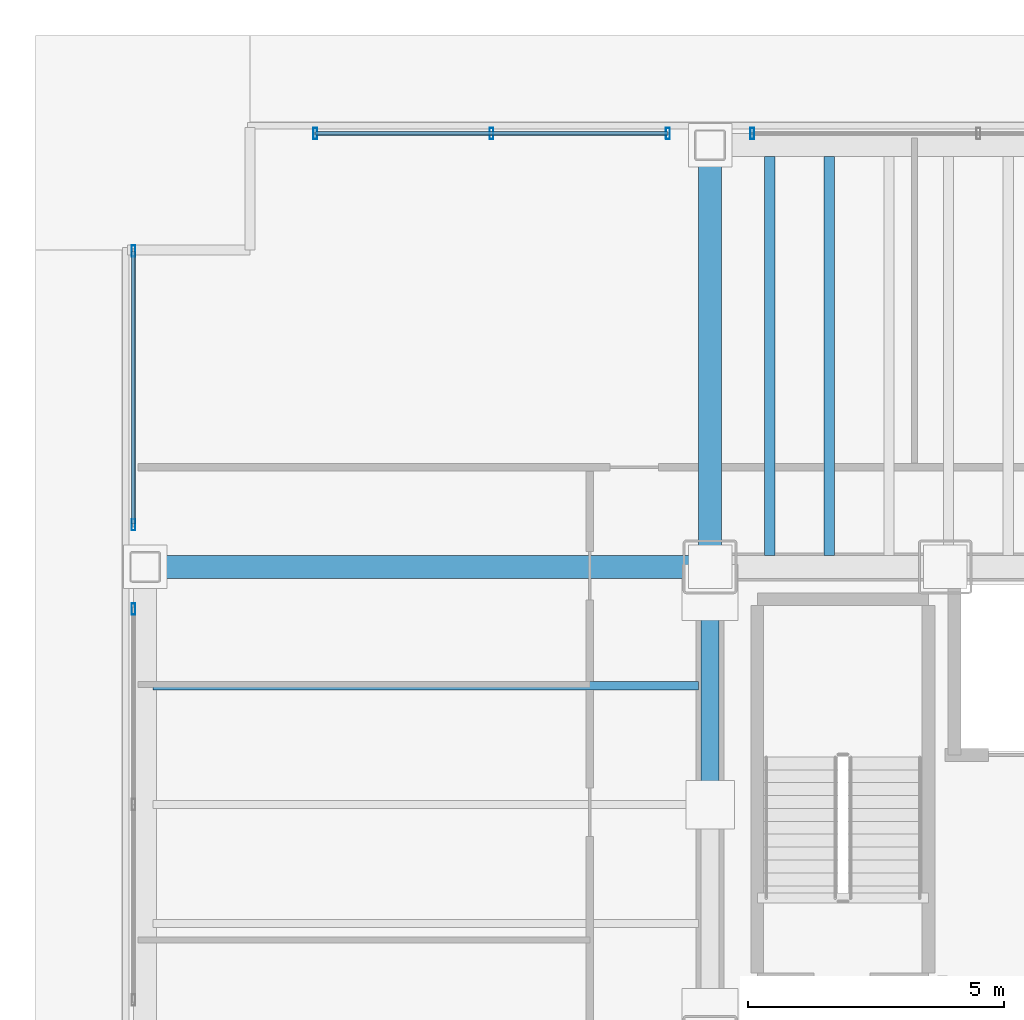
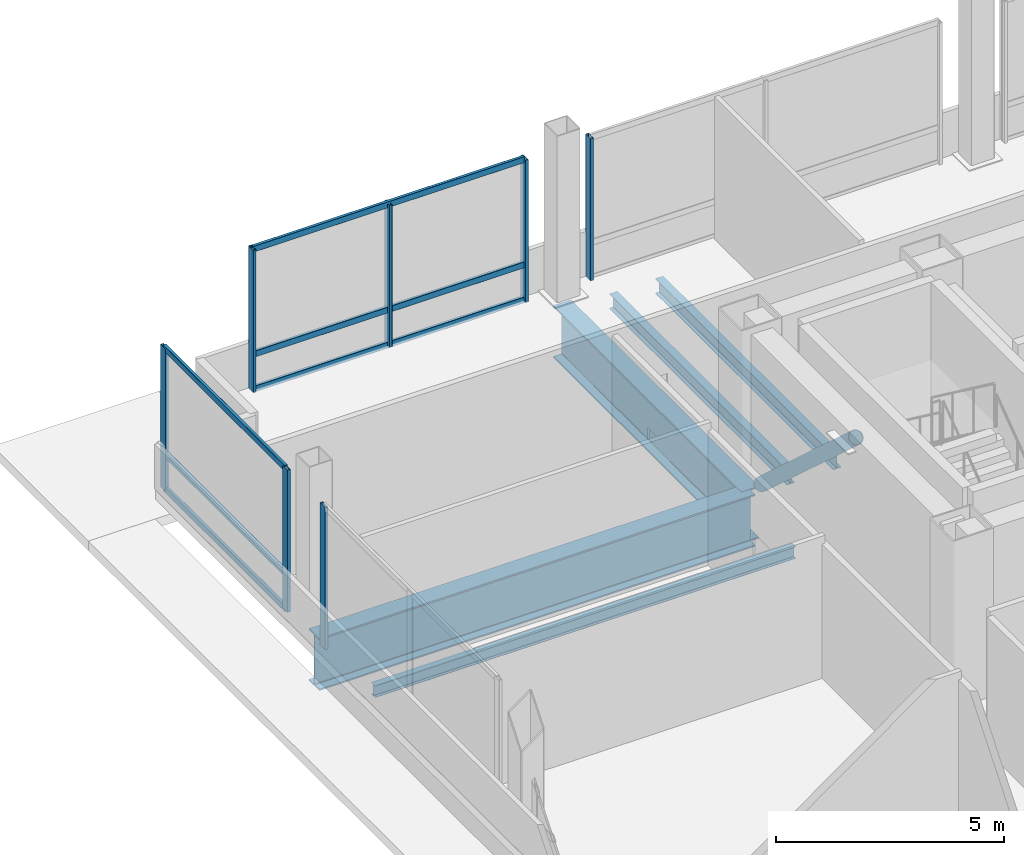
# One storey, part 17 of 34: 14 members, 5 beams, 4 elements without a shape of their own.
"""IFC4 building model written with IfcOpenShell, lengths in metres."""

from ifc_helpers import new_model, si_unit, direction, frame, origin, origin_2d, place, context, subcontext, project, spatial, hollow_rectangle, hollow_circle, i_section, extrude, material, material_profile, profile_set, type_object, element, aggregate, save


model = new_model("IFC4")

# Units and contexts
model_context = context("Model", 3, precision=1e-05, world=origin(), true_north=direction((0.0, 1.0)))
body_context = subcontext(model_context, "Body", "Model", "MODEL_VIEW")
ifc_project = project(units=[si_unit("LENGTHUNIT", "METRE"), si_unit("AREAUNIT", "SQUARE_METRE"), si_unit("VOLUMEUNIT", "CUBIC_METRE"), si_unit("PLANEANGLEUNIT", "RADIAN"), si_unit("MASSUNIT", "GRAM", prefix="KILO")], contexts=[model_context])

# Site, building, storey
site_placement = place(None, origin())
site = spatial("IfcSite", under=ifc_project, at=site_placement, CompositionType="ELEMENT")
building_placement = place(site_placement, origin())
building = spatial("IfcBuilding", under=site, at=building_placement, Name="Noeulbin Bourse Tower", CompositionType="ELEMENT")
storey_placement = place(building_placement, frame((0.0, 0.0, 22.0)))
storey = spatial("IfcBuildingStorey", under=building, at=storey_placement, Name="L05", CompositionType="ELEMENT", Elevation=22.0)

# Beams
ifc_material_1 = material(Name="Steel S355", Category="steel")
ifc_material_profile_1 = material_profile(ifc_material_1, i_section(OverallWidth=0.159912109375, OverallDepth=0.320068359375, WebThickness=0.006591796875, FlangeThickness=0.010009765625, FilletRadius=0.012939453125, at=origin_2d()), Name="H-320x160x6.5x10", Category="LoadBearing")
ifc_profile_set_1 = profile_set([ifc_material_profile_1], Name="Steel S355")
beam_type_1 = type_object("IfcBeamType", Name="BM-JST-320", PredefinedType="JOIST", material=ifc_profile_set_1)
beam_1_placement = place(storey_placement, frame((2.60009765625, 35.97509765625, -0.39990234375), z_axis=(1.0, 0.0, 0.0), x_axis=(0.0, 1.0, 0.0)))
element("IfcBeam", 1, at=beam_1_placement, inside=storey, type_object=beam_type_1, Name="Wing Composite Joist L05-W75", PredefinedType="JOIST", context=body_context, shape_type="SweptSolid", body=[
    extrude(i_section(OverallWidth=0.159912109375, OverallDepth=0.320068359375, WebThickness=0.006591796875, FlangeThickness=0.010009765625, FilletRadius=0.012939453125, at=origin_2d()), origin(), (0.0, 0.0, 1.0), 10.6748046875),
])
ifc_material_profile_2 = material_profile(ifc_material_1, i_section(OverallWidth=0.199951171875, OverallDepth=0.39990234375, WebThickness=0.008056640625, FlangeThickness=0.012939453125, FilletRadius=0.01611328125, at=origin_2d()), Name="H-400x200x8x13", Category="LoadBearing")
ifc_profile_set_2 = profile_set([ifc_material_profile_2], Name="Steel S355")
beam_type_2 = type_object("IfcBeamType", Name="BM-SEC-400", PredefinedType="BEAM", material=ifc_profile_set_2)
for number, where, z_axis, x_axis, name in (
    (2, (14.666748046875, 38.52490234375, -0.43994140625), (0.0, 1.0, 0.0), (-1.0, 0.0, 0.0), "Tower Composite Joist L05-03"),
    (3, (15.833251953125, 38.52490234375, -0.43994140625), (0.0, 1.0, 0.0), (-1.0, 0.0, 0.0), "Tower Composite Joist L05-06"),
):
    element("IfcBeam", number, at=place(storey_placement, frame(where, z_axis=z_axis, x_axis=x_axis)), inside=storey, type_object=beam_type_2, Name=name, PredefinedType="BEAM", context=body_context, shape_type="SweptSolid", body=[
        extrude(i_section(OverallWidth=0.199951171875, OverallDepth=0.39990234375, WebThickness=0.008056640625, FlangeThickness=0.012939453125, FilletRadius=0.01611328125, at=origin_2d()), origin(), (0.0, 0.0, 1.0), 7.800048828125),
    ])
ifc_material_2 = material(Name="Steel S460", Category="steel")
ifc_material_profile_3 = material_profile(ifc_material_2, i_section(OverallWidth=0.449951171875, OverallDepth=1.39990234375, WebThickness=0.02392578125, FlangeThickness=0.0400390625, FilletRadius=0.02392578125, at=origin_2d()), Name="PG-1400x450x24x40", Category="LoadBearing")
ifc_profile_set_3 = profile_set([ifc_material_profile_3], Name="Steel S460")
beam_type_3 = type_object("IfcBeamType", Name="BM-TRF-1400", PredefinedType="USERDEFINED", material=ifc_profile_set_3)
beam_2_placement = place(storey_placement, frame((2.449951171875, 38.300048828125, -0.93994140625), z_axis=(1.0, 0.0, 0.0), x_axis=(0.0, 1.0, 0.0)))
element("IfcBeam", 4, at=beam_2_placement, inside=storey, type_object=beam_type_3, Name="Tower Primary Girder EW L05-3.1", ObjectType="GIRDER", PredefinedType="USERDEFINED", context=body_context, shape_type="SweptSolid", body=[
    extrude(i_section(OverallWidth=0.449951171875, OverallDepth=1.39990234375, WebThickness=0.02392578125, FlangeThickness=0.0400390625, FilletRadius=0.02392578125, at=origin_2d()), origin(), (0.0, 0.0, 1.0), 11.050048828125),
])
beam_3_placement = place(storey_placement, frame((13.5, 38.300048828125, -0.93994140625), z_axis=(0.0, 1.0, 0.0), x_axis=(-1.0, 0.0, 0.0)))
element("IfcBeam", 5, at=beam_3_placement, inside=storey, type_object=beam_type_3, Name="Tower Primary Girder NS L05-1.4", ObjectType="GIRDER", PredefinedType="USERDEFINED", context=body_context, shape_type="SweptSolid", body=[
    extrude(i_section(OverallWidth=0.449951171875, OverallDepth=1.39990234375, WebThickness=0.02392578125, FlangeThickness=0.0400390625, FilletRadius=0.02392578125, at=origin_2d()), origin(), (0.0, 0.0, 1.0), 8.25),
])

# Curtain wall, members
ifc_material_3 = material(Name="Dark Solar-Control Double Glazing", Category="glass")
curtain_wall_type = type_object("IfcCurtainWallType", Name="CW-SYS-2", PredefinedType="NOTDEFINED", material=ifc_material_3)
curtain_wall_1_placement = place(storey_placement, origin())
curtain_wall_1 = element("IfcCurtainWall", 6, at=curtain_wall_1_placement, inside=storey, type_object=curtain_wall_type, Name="Unitised Curtain Wall CW-L05-N-S1", PredefinedType="NOTDEFINED")
ifc_material_4 = material(Name="Anodised Aluminium 6063-T6", Category="aluminium")
ifc_material_profile_4 = material_profile(ifc_material_4, hollow_rectangle(XDim=0.074951171875, YDim=0.219970703125, WallThickness=0.0048828125, InnerFilletRadius=0.00244140625, OuterFilletRadius=0.0048828125, at=origin_2d()), Name="ALU-MULL-75x220x5", Category="LoadBearing")
ifc_profile_set_4 = profile_set([ifc_material_profile_4], Name="Anodised Aluminium 6063-T6")
member_type_1 = type_object("IfcMemberType", Name="CW-SYS-2-MUL", PredefinedType="MULLION", material=ifc_profile_set_4)
member_1_placement = place(storey_placement, frame((5.77490234375, 46.780029296875, -0.02001953125), z_axis=(0.0, 0.0, 1.0), x_axis=(1.0, 0.0, 0.0)))
member_1 = element("IfcMember", 7, at=member_1_placement, type_object=member_type_1, Name="Curtain Wall Mullion CW-L05-N-S1-M00", PredefinedType="MULLION", context=body_context, shape_type="SweptSolid", body=[
    extrude(hollow_rectangle(XDim=0.074951171875, YDim=0.219970703125, WallThickness=0.0048828125, InnerFilletRadius=0.00244140625, OuterFilletRadius=0.0048828125, at=origin_2d()), origin(), (0.0, 0.0, 1.0), 3.820068359375),
])
member_2_placement = place(storey_placement, frame((9.22509765625, 46.780029296875, -0.02001953125), z_axis=(0.0, 0.0, 1.0), x_axis=(1.0, 0.0, 0.0)))
member_2 = element("IfcMember", 8, at=member_2_placement, type_object=member_type_1, Name="Curtain Wall Mullion CW-L05-N-S1-M01", PredefinedType="MULLION", context=body_context, shape_type="SweptSolid", body=[
    extrude(hollow_rectangle(XDim=0.074951171875, YDim=0.219970703125, WallThickness=0.0048828125, InnerFilletRadius=0.00244140625, OuterFilletRadius=0.0048828125, at=origin_2d()), origin(), (0.0, 0.0, 1.0), 3.820068359375),
])
member_3_placement = place(storey_placement, frame((12.675048828125, 46.780029296875, -0.02001953125), z_axis=(0.0, 0.0, 1.0), x_axis=(1.0, 0.0, 0.0)))
member_3 = element("IfcMember", 9, at=member_3_placement, type_object=member_type_1, Name="Curtain Wall Mullion CW-L05-N-S1-M02", PredefinedType="MULLION", context=body_context, shape_type="SweptSolid", body=[
    extrude(hollow_rectangle(XDim=0.074951171875, YDim=0.219970703125, WallThickness=0.0048828125, InnerFilletRadius=0.00244140625, OuterFilletRadius=0.0048828125, at=origin_2d()), origin(), (0.0, 0.0, 1.0), 3.820068359375),
])

# Curtain wall, member
curtain_wall_2_placement = place(storey_placement, origin())
curtain_wall_2 = element("IfcCurtainWall", 10, at=curtain_wall_2_placement, inside=storey, type_object=curtain_wall_type, Name="Unitised Curtain Wall CW-L05-N-S2", PredefinedType="NOTDEFINED")
member_4_placement = place(storey_placement, frame((14.324951171875, 46.780029296875, -0.02001953125), z_axis=(0.0, 0.0, 1.0), x_axis=(1.0, 0.0, 0.0)))
member_4 = element("IfcMember", 11, at=member_4_placement, type_object=member_type_1, Name="Curtain Wall Mullion CW-L05-N-S2-M00", PredefinedType="MULLION", context=body_context, shape_type="SweptSolid", body=[
    extrude(hollow_rectangle(XDim=0.074951171875, YDim=0.219970703125, WallThickness=0.0048828125, InnerFilletRadius=0.00244140625, OuterFilletRadius=0.0048828125, at=origin_2d()), origin(), (0.0, 0.0, 1.0), 3.820068359375),
])
aggregate(curtain_wall_2, [member_4])

curtain_wall_3_placement = place(storey_placement, origin())
curtain_wall_3 = element("IfcCurtainWall", 12, at=curtain_wall_3_placement, inside=storey, type_object=curtain_wall_type, Name="Unitised Curtain Wall CW-L05-W-S3", PredefinedType="NOTDEFINED")
member_5_placement = place(storey_placement, frame((2.219970703125, 37.47509765625, -0.02001953125), z_axis=(0.0, 0.0, 1.0), x_axis=(1.0, 0.0, 0.0)))
member_5 = element("IfcMember", 13, at=member_5_placement, type_object=member_type_1, Name="Curtain Wall Mullion CW-L05-W-S3-M02", PredefinedType="MULLION", context=body_context, shape_type="SweptSolid", body=[
    extrude(hollow_rectangle(XDim=0.074951171875, YDim=0.219970703125, WallThickness=0.0048828125, InnerFilletRadius=0.00244140625, OuterFilletRadius=0.0048828125, at=origin_2d()), origin(), (0.0, 0.0, 1.0), 3.820068359375),
])
aggregate(curtain_wall_3, [member_5])

# Curtain wall, members
curtain_wall_4_placement = place(storey_placement, origin())
curtain_wall_4 = element("IfcCurtainWall", 14, at=curtain_wall_4_placement, inside=storey, type_object=curtain_wall_type, Name="Unitised Curtain Wall CW-L05-W-S4", PredefinedType="NOTDEFINED")
member_6_placement = place(storey_placement, frame((2.219970703125, 39.125, -0.02001953125), z_axis=(0.0, 0.0, 1.0), x_axis=(1.0, 0.0, 0.0)))
member_6 = element("IfcMember", 15, at=member_6_placement, type_object=member_type_1, Name="Curtain Wall Mullion CW-L05-W-S4-M00", PredefinedType="MULLION", context=body_context, shape_type="SweptSolid", body=[
    extrude(hollow_rectangle(XDim=0.074951171875, YDim=0.219970703125, WallThickness=0.0048828125, InnerFilletRadius=0.00244140625, OuterFilletRadius=0.0048828125, at=origin_2d()), origin(), (0.0, 0.0, 1.0), 3.820068359375),
])
member_7_placement = place(storey_placement, frame((2.219970703125, 44.47998046875, -0.02001953125), z_axis=(0.0, 0.0, 1.0), x_axis=(1.0, 0.0, 0.0)))
member_7 = element("IfcMember", 16, at=member_7_placement, type_object=member_type_1, Name="Curtain Wall Mullion CW-L05-W-S4-M01", PredefinedType="MULLION", context=body_context, shape_type="SweptSolid", body=[
    extrude(hollow_rectangle(XDim=0.074951171875, YDim=0.219970703125, WallThickness=0.0048828125, InnerFilletRadius=0.00244140625, OuterFilletRadius=0.0048828125, at=origin_2d()), origin(), (0.0, 0.0, 1.0), 3.820068359375),
])

# Member
ifc_material_profile_5 = material_profile(ifc_material_4, hollow_rectangle(XDim=0.074951171875, YDim=0.159912109375, WallThickness=0.0048828125, InnerFilletRadius=0.00244140625, OuterFilletRadius=0.0048828125, at=origin_2d()), Name="ALU-TRAN-75x160x5", Category="LoadBearing")
ifc_profile_set_5 = profile_set([ifc_material_profile_5], Name="Anodised Aluminium 6063-T6")
member_type_2 = type_object("IfcMemberType", Name="CW-SYS-2-TRN", PredefinedType="USERDEFINED", material=ifc_profile_set_5)
member_8_placement = place(storey_placement, frame((5.784912109375, 46.780029296875, 0.010009765625), z_axis=(1.0, 0.0, 0.0), x_axis=(0.0, 1.0, 0.0)))
member_8 = element("IfcMember", 17, at=member_8_placement, type_object=member_type_2, Name="Curtain Wall Transom CW-L05-N-S1-T00", ObjectType="TRANSOM", PredefinedType="USERDEFINED", context=body_context, shape_type="SweptSolid", body=[
    extrude(hollow_rectangle(XDim=0.074951171875, YDim=0.159912109375, WallThickness=0.0048828125, InnerFilletRadius=0.00244140625, OuterFilletRadius=0.0048828125, at=origin_2d()), origin(), (0.0, 0.0, 1.0), 6.880126953125),
])

member_9_placement = place(storey_placement, frame((5.784912109375, 46.780029296875, 0.949951171875), z_axis=(1.0, 0.0, 0.0), x_axis=(0.0, 1.0, 0.0)))
member_9 = element("IfcMember", 18, at=member_9_placement, type_object=member_type_2, Name="Curtain Wall Transom CW-L05-N-S1-T01", ObjectType="TRANSOM", PredefinedType="USERDEFINED", context=body_context, shape_type="SweptSolid", body=[
    extrude(hollow_rectangle(XDim=0.074951171875, YDim=0.159912109375, WallThickness=0.0048828125, InnerFilletRadius=0.00244140625, OuterFilletRadius=0.0048828125, at=origin_2d()), origin(), (0.0, 0.0, 1.0), 6.880126953125),
])

member_10_placement = place(storey_placement, frame((5.784912109375, 46.780029296875, 3.77001953125), z_axis=(1.0, 0.0, 0.0), x_axis=(0.0, 1.0, 0.0)))
member_10 = element("IfcMember", 19, at=member_10_placement, type_object=member_type_2, Name="Curtain Wall Transom CW-L05-N-S1-T02", ObjectType="TRANSOM", PredefinedType="USERDEFINED", context=body_context, shape_type="SweptSolid", body=[
    extrude(hollow_rectangle(XDim=0.074951171875, YDim=0.159912109375, WallThickness=0.0048828125, InnerFilletRadius=0.00244140625, OuterFilletRadius=0.0048828125, at=origin_2d()), origin(), (0.0, 0.0, 1.0), 6.880126953125),
])

aggregate(curtain_wall_1, [member_1, member_2, member_3, member_8, member_9, member_10])

member_11_placement = place(storey_placement, frame((2.219970703125, 39.135009765625, 0.010009765625), z_axis=(0.0, 1.0, 0.0), x_axis=(-1.0, 0.0, 0.0)))
member_11 = element("IfcMember", 20, at=member_11_placement, type_object=member_type_2, Name="Curtain Wall Transom CW-L05-W-S4-T00", ObjectType="TRANSOM", PredefinedType="USERDEFINED", context=body_context, shape_type="SweptSolid", body=[
    extrude(hollow_rectangle(XDim=0.074951171875, YDim=0.159912109375, WallThickness=0.0048828125, InnerFilletRadius=0.00244140625, OuterFilletRadius=0.0048828125, at=origin_2d()), origin(), (0.0, 0.0, 1.0), 5.3349609375),
])

member_12_placement = place(storey_placement, frame((2.219970703125, 39.135009765625, 0.949951171875), z_axis=(0.0, 1.0, 0.0), x_axis=(-1.0, 0.0, 0.0)))
member_12 = element("IfcMember", 21, at=member_12_placement, type_object=member_type_2, Name="Curtain Wall Transom CW-L05-W-S4-T01", ObjectType="TRANSOM", PredefinedType="USERDEFINED", context=body_context, shape_type="SweptSolid", body=[
    extrude(hollow_rectangle(XDim=0.074951171875, YDim=0.159912109375, WallThickness=0.0048828125, InnerFilletRadius=0.00244140625, OuterFilletRadius=0.0048828125, at=origin_2d()), origin(), (0.0, 0.0, 1.0), 5.3349609375),
])

member_13_placement = place(storey_placement, frame((2.219970703125, 39.135009765625, 3.77001953125), z_axis=(0.0, 1.0, 0.0), x_axis=(-1.0, 0.0, 0.0)))
member_13 = element("IfcMember", 22, at=member_13_placement, type_object=member_type_2, Name="Curtain Wall Transom CW-L05-W-S4-T02", ObjectType="TRANSOM", PredefinedType="USERDEFINED", context=body_context, shape_type="SweptSolid", body=[
    extrude(hollow_rectangle(XDim=0.074951171875, YDim=0.159912109375, WallThickness=0.0048828125, InnerFilletRadius=0.00244140625, OuterFilletRadius=0.0048828125, at=origin_2d()), origin(), (0.0, 0.0, 1.0), 5.3349609375),
])

aggregate(curtain_wall_4, [member_6, member_7, member_11, member_12, member_13])

ifc_material_profile_6 = material_profile(ifc_material_1, hollow_circle(Radius=0.177734375, WallThickness=0.0126953125, at=origin_2d()), Name="CHS-355.6x12.7", Category="LoadBearing")
ifc_profile_set_6 = profile_set([ifc_material_profile_6], Name="Steel S355")
member_type_3 = type_object("IfcMemberType", Name="MEM-EXO-356", PredefinedType="BRACE", material=ifc_profile_set_6)
member_14_placement = place(storey_placement, frame((13.5, 33.64990234375, 3.969970703125), z_axis=(0.0, 0.740192217765, -0.672395330709), x_axis=(-1.0, 0.0, 0.0)))
element("IfcMember", 23, at=member_14_placement, inside=storey, type_object=member_type_3, Name="Core Flank Chevron Brace XT-L05-W2", PredefinedType="BRACE", context=body_context, shape_type="SweptSolid", body=[
    extrude(hollow_circle(Radius=0.177734375, WallThickness=0.0126953125, at=origin_2d()), origin(), (0.0, 0.0, 1.0), 5.60693359375),
])

save(model, "model.ifc")
